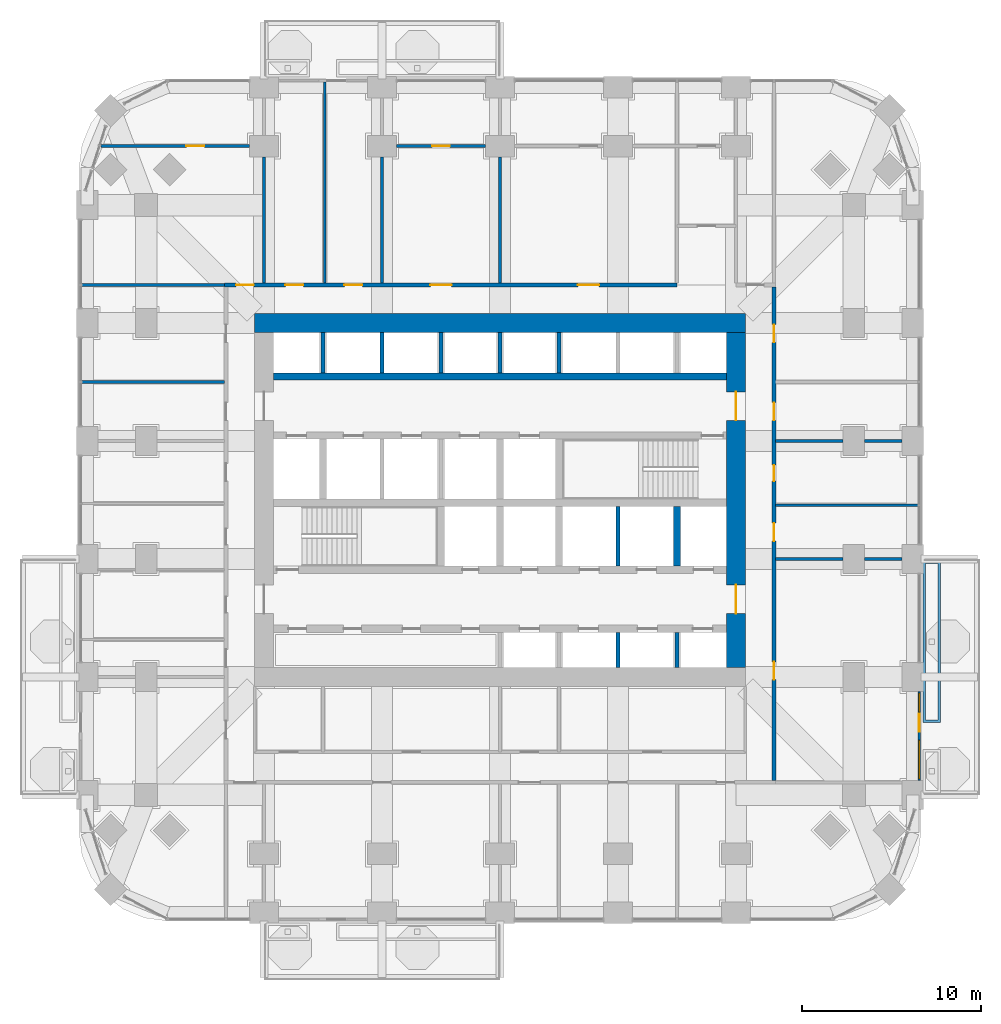
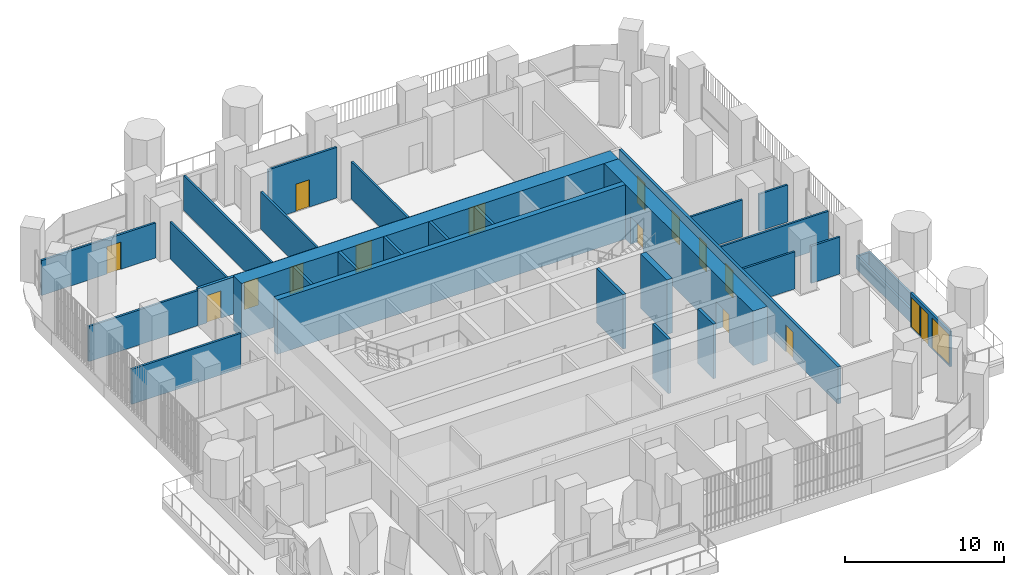
# One storey, part 15 of 21: 29 walls, 15 doors, 2 windows, 17 openings.
"""IFC4 building model written with IfcOpenShell, lengths in metres."""

from ifc_helpers import new_model, si_unit, direction, frame, frame_2d, origin, place, context, subcontext, project, spatial, polyline, rectangle, outline, extrude, material, layer, layer_set, type_object, element, fill, save


model = new_model("IFC4")

# Units and contexts
model_context = context("Model", 3, precision=1e-05, world=origin(), true_north=direction((0.0, 1.0)))
body_context = subcontext(model_context, "Body", "Model", "MODEL_VIEW")
ifc_project = project(units=[si_unit("LENGTHUNIT", "METRE"), si_unit("AREAUNIT", "SQUARE_METRE"), si_unit("VOLUMEUNIT", "CUBIC_METRE"), si_unit("PLANEANGLEUNIT", "RADIAN"), si_unit("MASSUNIT", "GRAM", prefix="KILO")], contexts=[model_context])

# Site, building, storey
site_placement = place(None, origin())
site = spatial("IfcSite", under=ifc_project, at=site_placement, CompositionType="ELEMENT")
building_placement = place(site_placement, origin())
building = spatial("IfcBuilding", under=site, at=building_placement, Name="Cobogo Forest Laboratory Tower", CompositionType="ELEMENT")
storey_placement = place(building_placement, frame((0.0, 0.0, 107.39990234375)))
storey = spatial("IfcBuildingStorey", under=building, at=storey_placement, Name="L24", CompositionType="ELEMENT", Elevation=107.39990234375)

# Walls
ifc_material_1 = material(Name="Concrete HA-50 (C50/60)", Category="concrete")
ifc_layer_1 = layer(ifc_material_1, 0.39990234375)
ifc_layer_set_1 = layer_set([ifc_layer_1], Name="CI400 core inner wall 400")
wall_type_1 = type_object("IfcWallType", Name="CI400 core inner wall 400", PredefinedType="SHEAR", material=ifc_layer_set_1)
wall_1_placement = place(storey_placement, frame((13.72509765625, 30.0, 0.0), z_axis=(0.0, 0.0, 1.0), x_axis=(1.0, 0.0, 0.0)))
element("IfcWall", 1, at=wall_1_placement, inside=storey, type_object=wall_type_1, Name="Core wall CI-30.0 L24", PredefinedType="SHEAR", context=body_context, shape_type="SweptSolid", body=[
    extrude(rectangle(XDim=25.349853515625, YDim=0.39990234375, at=frame_2d((12.6748046875, 0.0))), origin(), (0.0, 0.0, 1.0), 4.2001953125),
])
wall_2_placement = place(storey_placement, frame((36.300048828125, 19.39990234375, 0.0), z_axis=(0.0, 0.0, 1.0), x_axis=(0.0, 1.0, 0.0)))
element("IfcWall", 2, at=wall_2_placement, inside=storey, type_object=wall_type_1, Name="Core wall CX-36.3 L24", PredefinedType="SHEAR", context=body_context, shape_type="SweptSolid", body=[
    extrude(rectangle(XDim=3.35009765625, YDim=0.39990234375, at=frame_2d((1.675048828125, 0.0))), origin(), (0.0, 0.0, 1.0), 4.2001953125),
])

# Wall, openings, doors
ifc_layer_2 = layer(ifc_material_1, 1.050048828125)
ifc_layer_set_2 = layer_set([ifc_layer_2], Name="CW1050 core outer wall 1050")
wall_type_2 = type_object("IfcWallType", Name="CW1050 core outer wall 1050", PredefinedType="SHEAR", material=ifc_layer_set_2)
wall_3_placement = place(storey_placement, frame((39.60009765625, 13.72509765625, 0.0), z_axis=(0.0, 0.0, 1.0), x_axis=(0.0, 1.0, 0.0)))
wall_3 = element("IfcWall", 3, at=wall_3_placement, inside=storey, type_object=wall_type_2, Name="Core wall CO-E L24", PredefinedType="SHEAR", context=body_context, shape_type="SweptSolid", body=[
    extrude(rectangle(XDim=18.75, YDim=1.050048828125, at=frame_2d((9.375, 0.0))), origin(), (0.0, 0.0, 1.0), 4.2001953125),
])
opening_1_placement = place(wall_3_placement, frame((3.02490234375, 0.0, 0.0)))
opening_1 = element("IfcOpeningElement", 4, at=opening_1_placement, cuts=wall_3, Name="Opening L24-D22", PredefinedType="OPENING", context=body_context, shape_type="SweptSolid", body=[
    extrude(rectangle(XDim=1.60009765625, YDim=2.10009765625, at=frame_2d((0.800048828125, 1.050048828125))), frame((0.0, 0.534912109375, 0.0), z_axis=(0.0, -1.0, 0.0), x_axis=(1.0, 0.0, 0.0)), (0.0, 0.0, 1.0), 1.070068359375),
])
opening_2_placement = place(wall_3_placement, frame((13.824951171875, 0.0, 0.0)))
opening_2 = element("IfcOpeningElement", 5, at=opening_2_placement, cuts=wall_3, Name="Opening L24-D34", PredefinedType="OPENING", context=body_context, shape_type="SweptSolid", body=[
    extrude(rectangle(XDim=1.60009765625, YDim=2.10009765625, at=frame_2d((0.800048828125, 1.050048828125))), frame((0.0, 0.534912109375, 0.0), z_axis=(0.0, -1.0, 0.0), x_axis=(1.0, 0.0, 0.0)), (0.0, 0.0, 1.0), 1.070068359375),
])
ifc_material_2 = material(Name="Steel fire door", Category="steel")
door_type_1 = type_object("IfcDoorType", Name="DS2 protected lobby door pair 1600 EI2 60", OperationType="DOUBLE_DOOR_DOUBLE_SWING", PredefinedType="DOOR", material=ifc_material_2)
door_1_placement = place(opening_1_placement, origin())
door_1 = element("IfcDoor", 6, at=door_1_placement, inside=storey, type_object=door_type_1, Name="Door L24-CO-E-S", OperationType="DOUBLE_DOOR_DOUBLE_SWING", OverallHeight=2.10009765625, OverallWidth=1.60009765625, PredefinedType="DOOR", context=body_context, shape_type="SweptSolid", body=[
    extrude(rectangle(XDim=1.60009765625, YDim=2.10009765625, at=frame_2d((0.800048828125, 1.050048828125))), frame((0.0, 0.02490234375, 0.0), z_axis=(0.0, -1.0, 0.0), x_axis=(1.0, 0.0, 0.0)), (0.0, 0.0, 1.0), 0.050048828125),
])
fill(opening_1, door_1)
door_2_placement = place(opening_2_placement, origin())
door_2 = element("IfcDoor", 7, at=door_2_placement, inside=storey, type_object=door_type_1, Name="Door L24-CO-E-N", OperationType="DOUBLE_DOOR_DOUBLE_SWING", OverallHeight=2.10009765625, OverallWidth=1.60009765625, PredefinedType="DOOR", context=body_context, shape_type="SweptSolid", body=[
    extrude(rectangle(XDim=1.60009765625, YDim=2.10009765625, at=frame_2d((0.800048828125, 1.050048828125))), frame((0.0, 0.02490234375, 0.0), z_axis=(0.0, -1.0, 0.0), x_axis=(1.0, 0.0, 0.0)), (0.0, 0.0, 1.0), 0.050048828125),
])
fill(opening_2, door_2)

# Wall
wall_4_placement = place(storey_placement, frame((40.125, 33.0, 0.0), z_axis=(0.0, 0.0, 1.0), x_axis=(-1.0, 0.0, 0.0)))
element("IfcWall", 8, at=wall_4_placement, inside=storey, type_object=wall_type_2, Name="Core wall CO-N L24", PredefinedType="SHEAR", context=body_context, shape_type="SweptSolid", body=[
    extrude(rectangle(XDim=27.449951171875, YDim=1.050048828125, at=frame_2d((13.72509765625, 0.0))), origin(), (0.0, 0.0, 1.0), 4.2001953125),
])

# Wall, openings, door, windows
ifc_material_3 = material(Name="Aluminium framed glazed screen", Category="aluminium")
ifc_layer_3 = layer(ifc_material_3, 0.14990234375)
ifc_layer_set_3 = layer_set([ifc_layer_3], Name="GS1 glazed door screen 150")
wall_type_3 = type_object("IfcWallType", Name="GS1 glazed door screen 150", PredefinedType="SOLIDWALL", material=ifc_layer_set_3)
wall_5_placement = place(storey_placement, frame((49.85009765625, 7.39990234375, 0.0), z_axis=(0.0, 0.0, 1.0), x_axis=(0.0, 1.0, 0.0)))
wall_5 = element("IfcWall", 9, at=wall_5_placement, inside=storey, type_object=wall_type_3, Name="Door screen BAL-E1 L24", PredefinedType="SOLIDWALL", context=body_context, shape_type="SweptSolid", body=[
    extrude(rectangle(XDim=5.0, YDim=0.14990234375, at=frame_2d((2.5, 0.0))), origin(), (0.0, 0.0, 1.0), 2.7001953125),
])
opening_3_placement = place(wall_5_placement, frame((2.75, 0.0, 0.0)))
opening_3 = element("IfcOpeningElement", 10, at=opening_3_placement, cuts=wall_5, Name="Opening L24-D13", PredefinedType="OPENING", context=body_context, shape_type="SweptSolid", body=[
    extrude(rectangle(XDim=1.0, YDim=2.39990234375, at=frame_2d((0.5, 1.199951171875))), frame((0.0, 0.0849609375, 0.0), z_axis=(0.0, -1.0, 0.0), x_axis=(1.0, 0.0, 0.0)), (0.0, 0.0, 1.0), 0.169921875),
])
opening_4_placement = place(wall_5_placement, frame((0.10009765625, 0.0, 0.10009765625)))
opening_4 = element("IfcOpeningElement", 11, at=opening_4_placement, cuts=wall_5, Name="Opening L24-W04", PredefinedType="OPENING", context=body_context, shape_type="SweptSolid", body=[
    extrude(rectangle(XDim=2.14990234375, YDim=2.300048828125, at=frame_2d((1.074951171875, 1.14990234375))), frame((0.0, 0.0849609375, 0.0), z_axis=(0.0, -1.0, 0.0), x_axis=(1.0, 0.0, 0.0)), (0.0, 0.0, 1.0), 0.169921875),
])
opening_5_placement = place(wall_5_placement, frame((3.85009765625, 0.0, 0.10009765625)))
opening_5 = element("IfcOpeningElement", 12, at=opening_5_placement, cuts=wall_5, Name="Opening L24-W06", PredefinedType="OPENING", context=body_context, shape_type="SweptSolid", body=[
    extrude(rectangle(XDim=1.050048828125, YDim=2.300048828125, at=frame_2d((0.52490234375, 1.14990234375))), frame((0.0, 0.0849609375, 0.0), z_axis=(0.0, -1.0, 0.0), x_axis=(1.0, 0.0, 0.0)), (0.0, 0.0, 1.0), 0.169921875),
])
ifc_material_4 = material(Name="Aluminium glazed door", Category="aluminium")
door_type_2 = type_object("IfcDoorType", Name="DB1 balcony door 1000 glazed", OperationType="SINGLE_SWING_LEFT", PredefinedType="DOOR", material=ifc_material_4)
door_3_placement = place(opening_3_placement, origin())
door_3 = element("IfcDoor", 13, at=door_3_placement, inside=storey, type_object=door_type_2, Name="Door L24-BAL-E1", OperationType="SINGLE_SWING_RIGHT", OverallHeight=2.39990234375, OverallWidth=1.0, PredefinedType="DOOR", context=body_context, shape_type="SweptSolid", body=[
    extrude(rectangle(XDim=1.0, YDim=2.39990234375, at=frame_2d((0.5, 1.199951171875))), frame((0.0, 0.02490234375, 0.0), z_axis=(0.0, -1.0, 0.0), x_axis=(1.0, 0.0, 0.0)), (0.0, 0.0, 1.0), 0.050048828125),
])
fill(opening_3, door_3)
ifc_material_5 = material(Name="Aluminium framed glazing", Category="aluminium")
window_type_1 = type_object("IfcWindowType", Name="WG13 fixed glazed light 2150x2300", PartitioningType="SINGLE_PANEL", PredefinedType="WINDOW", material=ifc_material_5)
window_1_placement = place(opening_4_placement, origin())
window_1 = element("IfcWindow", 14, at=window_1_placement, inside=storey, type_object=window_type_1, Name="Window L24-BAL-E1-1", OverallHeight=2.300048828125, OverallWidth=2.14990234375, PartitioningType="SINGLE_PANEL", PredefinedType="WINDOW", context=body_context, shape_type="SweptSolid", body=[
    extrude(rectangle(XDim=2.14990234375, YDim=2.300048828125, at=frame_2d((1.074951171875, 1.14990234375))), frame((0.0, 0.030029296875, 0.0), z_axis=(0.0, -1.0, 0.0), x_axis=(1.0, 0.0, 0.0)), (0.0, 0.0, 1.0), 0.06005859375),
])
fill(opening_4, window_1)
window_type_2 = type_object("IfcWindowType", Name="WG14 fixed glazed light 1050x2300", PartitioningType="SINGLE_PANEL", PredefinedType="WINDOW", material=ifc_material_5)
window_2_placement = place(opening_5_placement, origin())
window_2 = element("IfcWindow", 15, at=window_2_placement, inside=storey, type_object=window_type_2, Name="Window L24-BAL-E1-2", OverallHeight=2.300048828125, OverallWidth=1.050048828125, PartitioningType="SINGLE_PANEL", PredefinedType="WINDOW", context=body_context, shape_type="SweptSolid", body=[
    extrude(rectangle(XDim=1.050048828125, YDim=2.300048828125, at=frame_2d((0.52490234375, 1.14990234375))), frame((0.0, 0.030029296875, 0.0), z_axis=(0.0, -1.0, 0.0), x_axis=(1.0, 0.0, 0.0)), (0.0, 0.0, 1.0), 0.06005859375),
])
fill(opening_5, window_2)

# Walls
ifc_material_6 = material(Name="Gypsum board on steel studs", Category="steel")
ifc_layer_4 = layer(ifc_material_6, 0.14990234375)
ifc_layer_set_4 = layer_set([ifc_layer_4], Name="PT1 laboratory partition 150")
wall_type_4 = type_object("IfcWallType", Name="PT1 laboratory partition 150", PredefinedType="PARTITIONING", material=ifc_layer_set_4)
for number, where, z_axis, x_axis, name in (
    (16, (3.030029296875, 35.125, 0.0), (0.0, 0.0, 1.0), (1.0, 0.0, 0.0), "Partition PW-NW L24"),
    (17, (49.77001953125, 22.800048828125, 0.0), (0.0, 0.0, 1.0), (-1.0, 0.0, 0.0), "Partition SVC-E1-1 L24"),
):
    element("IfcWall", number, at=place(storey_placement, frame(where, z_axis=z_axis, x_axis=x_axis)), inside=storey, type_object=wall_type_4, Name=name, PredefinedType="PARTITIONING", context=body_context, shape_type="SweptSolid", body=[
        extrude(rectangle(XDim=7.945068359375, YDim=0.14990234375, at=frame_2d((3.97265625, 0.0))), origin(), (0.0, 0.0, 1.0), 2.7001953125),
    ])
wall_6_placement = place(storey_placement, frame((48.89990234375, 26.39990234375, 0.0), z_axis=(0.0, 0.0, 1.0), x_axis=(-1.0, 0.0, 0.0)))
element("IfcWall", 18, at=wall_6_placement, inside=storey, type_object=wall_type_4, Name="Partition SVC-E2-1 L24", PredefinedType="PARTITIONING", context=body_context, shape_type="SweptSolid", body=[
    extrude(rectangle(XDim=2.099853515625, YDim=0.14990234375, at=frame_2d((1.0498046875, 0.0))), origin(), (0.0, 0.0, 1.0), 2.85009765625),
])
wall_7_placement = place(storey_placement, frame((45.60009765625, 26.39990234375, 0.0), z_axis=(0.0, 0.0, 1.0), x_axis=(-1.0, 0.0, 0.0)))
element("IfcWall", 19, at=wall_7_placement, inside=storey, type_object=wall_type_4, Name="Partition SVC-E2-2 L24", PredefinedType="PARTITIONING", context=body_context, shape_type="SweptSolid", body=[
    extrude(rectangle(XDim=3.775146484375, YDim=0.14990234375, at=frame_2d((1.8876953125, 0.0))), origin(), (0.0, 0.0, 1.0), 2.85009765625),
])
wall_8_placement = place(storey_placement, frame((48.89990234375, 19.800048828125, 0.0), z_axis=(0.0, 0.0, 1.0), x_axis=(-1.0, 0.0, 0.0)))
element("IfcWall", 20, at=wall_8_placement, inside=storey, type_object=wall_type_4, Name="Partition CUT-E19.8-1 L24", PredefinedType="PARTITIONING", context=body_context, shape_type="SweptSolid", body=[
    extrude(rectangle(XDim=2.099853515625, YDim=0.14990234375, at=frame_2d((1.0498046875, 0.0))), origin(), (0.0, 0.0, 1.0), 2.85009765625),
])
wall_9_placement = place(storey_placement, frame((45.60009765625, 19.800048828125, 0.0), z_axis=(0.0, 0.0, 1.0), x_axis=(-1.0, 0.0, 0.0)))
element("IfcWall", 21, at=wall_9_placement, inside=storey, type_object=wall_type_4, Name="Partition CUT-E19.8-2 L24", PredefinedType="PARTITIONING", context=body_context, shape_type="SweptSolid", body=[
    extrude(rectangle(XDim=3.775146484375, YDim=0.14990234375, at=frame_2d((1.8876953125, 0.0))), origin(), (0.0, 0.0, 1.0), 2.85009765625),
])

# Wall, opening, door
wall_10_placement = place(storey_placement, frame((25.60009765625, 42.89990234375, 0.0), z_axis=(0.0, 0.0, 1.0), x_axis=(-1.0, 0.0, 0.0)))
wall_10 = element("IfcWall", 22, at=wall_10_placement, inside=storey, type_object=wall_type_4, Name="Partition STRIP-N-3 L24", PredefinedType="PARTITIONING", context=body_context, shape_type="SweptSolid", body=[
    extrude(rectangle(XDim=5.0, YDim=0.14990234375, at=frame_2d((2.5, 0.0))), origin(), (0.0, 0.0, 1.0), 3.900146484375),
])
opening_6_placement = place(wall_10_placement, frame((2.0, 0.0, 0.0)))
opening_6 = element("IfcOpeningElement", 23, at=opening_6_placement, cuts=wall_10, Name="Opening L24-D45", PredefinedType="OPENING", context=body_context, shape_type="SweptSolid", body=[
    extrude(rectangle(XDim=1.0, YDim=2.10009765625, at=frame_2d((0.5, 1.050048828125))), frame((0.0, 0.0849609375, 0.0), z_axis=(0.0, -1.0, 0.0), x_axis=(1.0, 0.0, 0.0)), (0.0, 0.0, 1.0), 0.169921875),
])
ifc_material_7 = material(Name="Timber fire door", Category="wood")
door_type_3 = type_object("IfcDoorType", Name="FD2 fire door 1000 EI2 30", OperationType="SINGLE_SWING_LEFT", PredefinedType="DOOR", material=ifc_material_7)
door_4_placement = place(opening_6_placement, origin())
door_4 = element("IfcDoor", 24, at=door_4_placement, inside=storey, type_object=door_type_3, Name="Door L24-N2W", OperationType="SINGLE_SWING_RIGHT", OverallHeight=2.10009765625, OverallWidth=1.0, PredefinedType="DOOR", context=body_context, shape_type="SweptSolid", body=[
    extrude(rectangle(XDim=1.0, YDim=2.10009765625, at=frame_2d((0.5, 1.050048828125))), frame((0.0, 0.02490234375, 0.0), z_axis=(0.0, -1.0, 0.0), x_axis=(1.0, 0.0, 0.0)), (0.0, 0.0, 1.0), 0.050048828125),
])
fill(opening_6, door_4)

wall_11_placement = place(storey_placement, frame((12.39990234375, 42.89990234375, 0.0), z_axis=(0.0, 0.0, 1.0), x_axis=(-1.0, 0.0, 0.0)))
wall_11 = element("IfcWall", 25, at=wall_11_placement, inside=storey, type_object=wall_type_4, Name="Partition STRIP-N-4 L24", PredefinedType="PARTITIONING", context=body_context, shape_type="SweptSolid", body=[
    extrude(rectangle(XDim=8.323974609375, YDim=0.14990234375, at=frame_2d((4.162109375, 0.0))), origin(), (0.0, 0.0, 1.0), 2.7001953125),
])
opening_7_placement = place(wall_11_placement, frame((2.5419921875, 0.0, 0.0)))
opening_7 = element("IfcOpeningElement", 26, at=opening_7_placement, cuts=wall_11, Name="Opening L24-D44", PredefinedType="OPENING", context=body_context, shape_type="SweptSolid", body=[
    extrude(rectangle(XDim=1.0, YDim=2.10009765625, at=frame_2d((0.5, 1.050048828125))), frame((0.0, 0.0849609375, 0.0), z_axis=(0.0, -1.0, 0.0), x_axis=(1.0, 0.0, 0.0)), (0.0, 0.0, 1.0), 0.169921875),
])
door_5_placement = place(opening_7_placement, origin())
door_5 = element("IfcDoor", 27, at=door_5_placement, inside=storey, type_object=door_type_3, Name="Door L24-N1W", OperationType="SINGLE_SWING_LEFT", OverallHeight=2.10009765625, OverallWidth=1.0, PredefinedType="DOOR", context=body_context, shape_type="SweptSolid", body=[
    extrude(rectangle(XDim=1.0, YDim=2.10009765625, at=frame_2d((0.5, 1.050048828125))), frame((0.0, 0.02490234375, 0.0), z_axis=(0.0, -1.0, 0.0), x_axis=(1.0, 0.0, 0.0)), (0.0, 0.0, 1.0), 0.050048828125),
])
fill(opening_7, door_5)

# Walls
wall_12_placement = place(storey_placement, frame((16.60009765625, 46.469970703125, 0.0), z_axis=(0.0, 0.0, 1.0), x_axis=(0.0, -1.0, 0.0)))
element("IfcWall", 28, at=wall_12_placement, inside=storey, type_object=wall_type_4, Name="Partition SVC-N1-1 L24", PredefinedType="PARTITIONING", context=body_context, shape_type="SweptSolid", body=[
    extrude(rectangle(XDim=11.244873046875, YDim=0.14990234375, at=frame_2d((5.62255859375, 0.0))), origin(), (0.0, 0.0, 1.0), 2.7001953125),
])
for number, where, z_axis, x_axis, name in (
    (29, (19.800048828125, 42.300048828125, 0.0), (0.0, 0.0, 1.0), (0.0, -1.0, 0.0), "Partition SVC-N2-2 L24"),
    (30, (13.199951171875, 42.300048828125, 0.0), (0.0, 0.0, 1.0), (0.0, -1.0, 0.0), "Partition CUT-N13.2-2 L24"),
    (31, (26.39990234375, 42.300048828125, 0.0), (0.0, 0.0, 1.0), (0.0, -1.0, 0.0), "Partition CUT-N26.4-2 L24"),
):
    element("IfcWall", number, at=place(storey_placement, frame(where, z_axis=z_axis, x_axis=x_axis)), inside=storey, type_object=wall_type_4, Name=name, PredefinedType="PARTITIONING", context=body_context, shape_type="SweptSolid", body=[
        extrude(rectangle(XDim=7.074951171875, YDim=0.14990234375, at=frame_2d((3.53759765625, 0.0))), origin(), (0.0, 0.0, 1.0), 2.85009765625),
    ])
wall_13_placement = place(storey_placement, frame((3.030029296875, 29.699951171875, 0.0), z_axis=(0.0, 0.0, 1.0), x_axis=(1.0, 0.0, 0.0)))
element("IfcWall", 32, at=wall_13_placement, inside=storey, type_object=wall_type_4, Name="Partition CUT-W29.7-1 L24", PredefinedType="PARTITIONING", context=body_context, shape_type="SweptSolid", body=[
    extrude(rectangle(XDim=7.945068359375, YDim=0.14990234375, at=frame_2d((3.97265625, 0.0))), origin(), (0.0, 0.0, 1.0), 2.7001953125),
])

# Wall, openings, doors
ifc_layer_5 = layer(ifc_material_6, 0.199951171875)
ifc_layer_set_5 = layer_set([ifc_layer_5], Name="PT2 fire-rated corridor partition 200")
wall_type_5 = type_object("IfcWallType", Name="PT2 fire-rated corridor partition 200", PredefinedType="PARTITIONING", material=ifc_layer_set_5)
wall_14_placement = place(storey_placement, frame((10.97509765625, 35.125, 0.0), z_axis=(0.0, 0.0, 1.0), x_axis=(1.0, 0.0, 0.0)))
wall_14 = element("IfcWall", 33, at=wall_14_placement, inside=storey, type_object=wall_type_5, Name="Partition CORR-N-1 L24", PredefinedType="PARTITIONING", context=body_context, shape_type="SweptSolid", body=[
    extrude(rectangle(XDim=25.324951171875, YDim=0.199951171875, at=frame_2d((12.66259765625, 0.0))), origin(), (0.0, 0.0, 1.0), 2.85009765625),
])
opening_8_placement = place(wall_14_placement, frame((0.66259765625, 0.0, 0.0)))
opening_8 = element("IfcOpeningElement", 34, at=opening_8_placement, cuts=wall_14, Name="Opening L24-D37", PredefinedType="OPENING", context=body_context, shape_type="SweptSolid", body=[
    extrude(rectangle(XDim=1.0, YDim=2.10009765625, at=frame_2d((0.5, 1.050048828125))), frame((0.0, 0.10986328125, 0.0), z_axis=(0.0, -1.0, 0.0), x_axis=(1.0, 0.0, 0.0)), (0.0, 0.0, 1.0), 0.219970703125),
])
opening_9_placement = place(wall_14_placement, frame((3.425048828125, 0.0, 0.0)))
opening_9 = element("IfcOpeningElement", 35, at=opening_9_placement, cuts=wall_14, Name="Opening L24-D38", PredefinedType="OPENING", context=body_context, shape_type="SweptSolid", body=[
    extrude(rectangle(XDim=1.0, YDim=2.10009765625, at=frame_2d((0.5, 1.050048828125))), frame((0.0, 0.10986328125, 0.0), z_axis=(0.0, -1.0, 0.0), x_axis=(1.0, 0.0, 0.0)), (0.0, 0.0, 1.0), 0.219970703125),
])
opening_10_placement = place(wall_14_placement, frame((6.72509765625, 0.0, 0.0)))
opening_10 = element("IfcOpeningElement", 36, at=opening_10_placement, cuts=wall_14, Name="Opening L24-D39", PredefinedType="OPENING", context=body_context, shape_type="SweptSolid", body=[
    extrude(rectangle(XDim=1.0, YDim=2.10009765625, at=frame_2d((0.5, 1.050048828125))), frame((0.0, 0.10986328125, 0.0), z_axis=(0.0, -1.0, 0.0), x_axis=(1.0, 0.0, 0.0)), (0.0, 0.0, 1.0), 0.219970703125),
])
opening_11_placement = place(wall_14_placement, frame((11.52490234375, 0.0, 0.0)))
opening_11 = element("IfcOpeningElement", 37, at=opening_11_placement, cuts=wall_14, Name="Opening L24-D40", PredefinedType="OPENING", context=body_context, shape_type="SweptSolid", body=[
    extrude(rectangle(XDim=1.199951171875, YDim=2.10009765625, at=frame_2d((0.60009765625, 1.050048828125))), frame((0.0, 0.10986328125, 0.0), z_axis=(0.0, -1.0, 0.0), x_axis=(1.0, 0.0, 0.0)), (0.0, 0.0, 1.0), 0.219970703125),
])
opening_12_placement = place(wall_14_placement, frame((19.77490234375, 0.0, 0.0)))
opening_12 = element("IfcOpeningElement", 38, at=opening_12_placement, cuts=wall_14, Name="Opening L24-D41", PredefinedType="OPENING", context=body_context, shape_type="SweptSolid", body=[
    extrude(rectangle(XDim=1.199951171875, YDim=2.10009765625, at=frame_2d((0.60009765625, 1.050048828125))), frame((0.0, 0.10986328125, 0.0), z_axis=(0.0, -1.0, 0.0), x_axis=(1.0, 0.0, 0.0)), (0.0, 0.0, 1.0), 0.219970703125),
])
ifc_material_8 = material(Name="Timber door", Category="wood")
door_type_4 = type_object("IfcDoorType", Name="D2 laboratory door 1200 unequal pair", OperationType="DOUBLE_DOOR_SINGLE_SWING", PredefinedType="DOOR", material=ifc_material_8)
door_6_placement = place(opening_11_placement, origin())
door_6 = element("IfcDoor", 39, at=door_6_placement, inside=storey, type_object=door_type_4, Name="Door L24-N2", OperationType="DOUBLE_DOOR_SINGLE_SWING", OverallHeight=2.10009765625, OverallWidth=1.199951171875, PredefinedType="DOOR", context=body_context, shape_type="SweptSolid", body=[
    extrude(rectangle(XDim=1.199951171875, YDim=2.10009765625, at=frame_2d((0.60009765625, 1.050048828125))), frame((0.0, 0.02490234375, 0.0), z_axis=(0.0, -1.0, 0.0), x_axis=(1.0, 0.0, 0.0)), (0.0, 0.0, 1.0), 0.050048828125),
])
fill(opening_11, door_6)
door_7_placement = place(opening_12_placement, origin())
door_7 = element("IfcDoor", 40, at=door_7_placement, inside=storey, type_object=door_type_4, Name="Door L24-N3", OperationType="DOUBLE_DOOR_SINGLE_SWING", OverallHeight=2.10009765625, OverallWidth=1.199951171875, PredefinedType="DOOR", context=body_context, shape_type="SweptSolid", body=[
    extrude(rectangle(XDim=1.199951171875, YDim=2.10009765625, at=frame_2d((0.60009765625, 1.050048828125))), frame((0.0, 0.02490234375, 0.0), z_axis=(0.0, -1.0, 0.0), x_axis=(1.0, 0.0, 0.0)), (0.0, 0.0, 1.0), 0.050048828125),
])
fill(opening_12, door_7)
door_8_placement = place(opening_8_placement, origin())
door_8 = element("IfcDoor", 41, at=door_8_placement, inside=storey, type_object=door_type_3, Name="Door L24-N1", OperationType="SINGLE_SWING_LEFT", OverallHeight=2.10009765625, OverallWidth=1.0, PredefinedType="DOOR", context=body_context, shape_type="SweptSolid", body=[
    extrude(rectangle(XDim=1.0, YDim=2.10009765625, at=frame_2d((0.5, 1.050048828125))), frame((0.0, 0.02490234375, 0.0), z_axis=(0.0, -1.0, 0.0), x_axis=(1.0, 0.0, 0.0)), (0.0, 0.0, 1.0), 0.050048828125),
])
fill(opening_8, door_8)
door_9_placement = place(opening_9_placement, origin())
door_9 = element("IfcDoor", 42, at=door_9_placement, inside=storey, type_object=door_type_3, Name="Door L24-MTG", OperationType="SINGLE_SWING_LEFT", OverallHeight=2.10009765625, OverallWidth=1.0, PredefinedType="DOOR", context=body_context, shape_type="SweptSolid", body=[
    extrude(rectangle(XDim=1.0, YDim=2.10009765625, at=frame_2d((0.5, 1.050048828125))), frame((0.0, 0.02490234375, 0.0), z_axis=(0.0, -1.0, 0.0), x_axis=(1.0, 0.0, 0.0)), (0.0, 0.0, 1.0), 0.050048828125),
])
fill(opening_9, door_9)
door_10_placement = place(opening_10_placement, origin())
door_10 = element("IfcDoor", 43, at=door_10_placement, inside=storey, type_object=door_type_3, Name="Door L24-PAN", OperationType="SINGLE_SWING_LEFT", OverallHeight=2.10009765625, OverallWidth=1.0, PredefinedType="DOOR", context=body_context, shape_type="SweptSolid", body=[
    extrude(rectangle(XDim=1.0, YDim=2.10009765625, at=frame_2d((0.5, 1.050048828125))), frame((0.0, 0.02490234375, 0.0), z_axis=(0.0, -1.0, 0.0), x_axis=(1.0, 0.0, 0.0)), (0.0, 0.0, 1.0), 0.050048828125),
])
fill(opening_10, door_10)

wall_15_placement = place(storey_placement, frame((41.72509765625, 7.39990234375, 0.0), z_axis=(0.0, 0.0, 1.0), x_axis=(0.0, 1.0, 0.0)))
wall_15 = element("IfcWall", 44, at=wall_15_placement, inside=storey, type_object=wall_type_5, Name="Partition CORR-E L24", PredefinedType="PARTITIONING", context=body_context, shape_type="SweptSolid", body=[
    extrude(rectangle(XDim=27.625, YDim=0.199951171875, at=frame_2d((13.8125, 0.0))), origin(), (0.0, 0.0, 1.0), 2.85009765625),
])
opening_13_placement = place(wall_15_placement, frame((5.64990234375, 0.0, 0.0)))
opening_13 = element("IfcOpeningElement", 45, at=opening_13_placement, cuts=wall_15, Name="Opening L24-D14", PredefinedType="OPENING", context=body_context, shape_type="SweptSolid", body=[
    extrude(rectangle(XDim=1.0, YDim=2.10009765625, at=frame_2d((0.5, 1.050048828125))), frame((0.0, 0.10986328125, 0.0), z_axis=(0.0, -1.0, 0.0), x_axis=(1.0, 0.0, 0.0)), (0.0, 0.0, 1.0), 0.219970703125),
])
opening_14_placement = place(wall_15_placement, frame((13.39990234375, 0.0, 0.0)))
opening_14 = element("IfcOpeningElement", 46, at=opening_14_placement, cuts=wall_15, Name="Opening L24-D27", PredefinedType="OPENING", context=body_context, shape_type="SweptSolid", body=[
    extrude(rectangle(XDim=1.0, YDim=2.10009765625, at=frame_2d((0.5, 1.050048828125))), frame((0.0, 0.10986328125, 0.0), z_axis=(0.0, -1.0, 0.0), x_axis=(1.0, 0.0, 0.0)), (0.0, 0.0, 1.0), 0.219970703125),
])
opening_15_placement = place(wall_15_placement, frame((16.75, 0.0, 0.0)))
opening_15 = element("IfcOpeningElement", 47, at=opening_15_placement, cuts=wall_15, Name="Opening L24-D28", PredefinedType="OPENING", context=body_context, shape_type="SweptSolid", body=[
    extrude(rectangle(XDim=0.89990234375, YDim=2.10009765625, at=frame_2d((0.449951171875, 1.050048828125))), frame((0.0, 0.10986328125, 0.0), z_axis=(0.0, -1.0, 0.0), x_axis=(1.0, 0.0, 0.0)), (0.0, 0.0, 1.0), 0.219970703125),
])
opening_16_placement = place(wall_15_placement, frame((20.14990234375, 0.0, 0.0)))
opening_16 = element("IfcOpeningElement", 48, at=opening_16_placement, cuts=wall_15, Name="Opening L24-D32", PredefinedType="OPENING", context=body_context, shape_type="SweptSolid", body=[
    extrude(rectangle(XDim=1.0, YDim=2.10009765625, at=frame_2d((0.5, 1.050048828125))), frame((0.0, 0.10986328125, 0.0), z_axis=(0.0, -1.0, 0.0), x_axis=(1.0, 0.0, 0.0)), (0.0, 0.0, 1.0), 0.219970703125),
])
opening_17_placement = place(wall_15_placement, frame((24.512451171875, 0.0, 0.0)))
opening_17 = element("IfcOpeningElement", 49, at=opening_17_placement, cuts=wall_15, Name="Opening L24-D36", PredefinedType="OPENING", context=body_context, shape_type="SweptSolid", body=[
    extrude(rectangle(XDim=1.0, YDim=2.10009765625, at=frame_2d((0.5, 1.050048828125))), frame((0.0, 0.10986328125, 0.0), z_axis=(0.0, -1.0, 0.0), x_axis=(1.0, 0.0, 0.0)), (0.0, 0.0, 1.0), 0.219970703125),
])
door_type_5 = type_object("IfcDoorType", Name="FD1 fire door 1000 EI2 60", OperationType="SINGLE_SWING_LEFT", PredefinedType="DOOR", material=ifc_material_2)
door_11_placement = place(opening_14_placement, origin())
door_11 = element("IfcDoor", 50, at=door_11_placement, inside=storey, type_object=door_type_5, Name="Door L24-ELEC", OperationType="SINGLE_SWING_RIGHT", OverallHeight=2.10009765625, OverallWidth=1.0, PredefinedType="DOOR", context=body_context, shape_type="SweptSolid", body=[
    extrude(rectangle(XDim=1.0, YDim=2.10009765625, at=frame_2d((0.5, 1.050048828125))), frame((0.0, 0.02490234375, 0.0), z_axis=(0.0, -1.0, 0.0), x_axis=(1.0, 0.0, 0.0)), (0.0, 0.0, 1.0), 0.050048828125),
])
fill(opening_14, door_11)
door_12_placement = place(opening_13_placement, origin())
door_12 = element("IfcDoor", 51, at=door_12_placement, inside=storey, type_object=door_type_3, Name="Door L24-E1", OperationType="SINGLE_SWING_LEFT", OverallHeight=2.10009765625, OverallWidth=1.0, PredefinedType="DOOR", context=body_context, shape_type="SweptSolid", body=[
    extrude(rectangle(XDim=1.0, YDim=2.10009765625, at=frame_2d((0.5, 1.050048828125))), frame((0.0, 0.02490234375, 0.0), z_axis=(0.0, -1.0, 0.0), x_axis=(1.0, 0.0, 0.0)), (0.0, 0.0, 1.0), 0.050048828125),
])
fill(opening_13, door_12)
door_13_placement = place(opening_16_placement, origin())
door_13 = element("IfcDoor", 52, at=door_13_placement, inside=storey, type_object=door_type_3, Name="Door L24-E2", OperationType="SINGLE_SWING_RIGHT", OverallHeight=2.10009765625, OverallWidth=1.0, PredefinedType="DOOR", context=body_context, shape_type="SweptSolid", body=[
    extrude(rectangle(XDim=1.0, YDim=2.10009765625, at=frame_2d((0.5, 1.050048828125))), frame((0.0, 0.02490234375, 0.0), z_axis=(0.0, -1.0, 0.0), x_axis=(1.0, 0.0, 0.0)), (0.0, 0.0, 1.0), 0.050048828125),
])
fill(opening_16, door_13)
door_14_placement = place(opening_17_placement, origin())
door_14 = element("IfcDoor", 53, at=door_14_placement, inside=storey, type_object=door_type_3, Name="Door L24-E3", OperationType="SINGLE_SWING_RIGHT", OverallHeight=2.10009765625, OverallWidth=1.0, PredefinedType="DOOR", context=body_context, shape_type="SweptSolid", body=[
    extrude(rectangle(XDim=1.0, YDim=2.10009765625, at=frame_2d((0.5, 1.050048828125))), frame((0.0, 0.02490234375, 0.0), z_axis=(0.0, -1.0, 0.0), x_axis=(1.0, 0.0, 0.0)), (0.0, 0.0, 1.0), 0.050048828125),
])
fill(opening_17, door_14)
door_type_6 = type_object("IfcDoorType", Name="FD4 riser access door 900 EI2 60", OperationType="SINGLE_SWING_LEFT", PredefinedType="DOOR", material=ifc_material_2)
door_15_placement = place(opening_15_placement, origin())
door_15 = element("IfcDoor", 54, at=door_15_placement, inside=storey, type_object=door_type_6, Name="Door L24-COMMS", OperationType="SINGLE_SWING_RIGHT", OverallHeight=2.10009765625, OverallWidth=0.89990234375, PredefinedType="DOOR", context=body_context, shape_type="SweptSolid", body=[
    extrude(rectangle(XDim=0.89990234375, YDim=2.10009765625, at=frame_2d((0.449951171875, 1.050048828125))), frame((0.0, 0.02490234375, 0.0), z_axis=(0.0, -1.0, 0.0), x_axis=(1.0, 0.0, 0.0)), (0.0, 0.0, 1.0), 0.050048828125),
])
fill(opening_15, door_15)

# Walls
ifc_material_9 = material(Name="Concrete HA-40 (C40/50)", Category="concrete")
ifc_layer_6 = layer(ifc_material_9, 0.14990234375)
ifc_layer_set_6 = layer_set([ifc_layer_6], Name="Planter box 1000x1050")
wall_type_6 = type_object("IfcWallType", Name="Planter box 1000x1050", PredefinedType="USERDEFINED", material=ifc_layer_set_6)
wall_16_placement = place(storey_placement, origin())
element("IfcWall", 55, at=wall_16_placement, inside=storey, type_object=wall_type_6, Name="Planter BAL-E1-2 L24", ObjectType="PLANTER", PredefinedType="USERDEFINED", context=body_context, shape_type="SweptSolid", body=[
    extrude(outline(polyline([(50.050048828125, 10.64990234375), (51.050048828125, 10.64990234375), (51.050048828125, 19.699951171875), (50.050048828125, 19.699951171875), (50.050048828125, 10.64990234375)]), holes=[polyline([(50.199951171875, 10.800048828125), (50.89990234375, 10.800048828125), (50.89990234375, 19.550048828125), (50.199951171875, 19.550048828125), (50.199951171875, 10.800048828125)])]), origin(), (0.0, 0.0, 1.0), 1.050048828125),
])
ifc_material_10 = material(Name="Concrete block", Category="concrete")
ifc_layer_7 = layer(ifc_material_10, 0.199951171875)
ifc_layer_set_7 = layer_set([ifc_layer_7], Name="SW200 lift shaft separator 200")
wall_type_7 = type_object("IfcWallType", Name="SW200 lift shaft separator 200", PredefinedType="PARTITIONING", material=ifc_layer_set_7)
for number, where, z_axis, x_axis, name in (
    (56, (16.5, 30.199951171875, 0.0), (0.0, 0.0, 1.0), (0.0, 1.0, 0.0), "Core wall SEP-N1 L24"),
    (57, (19.800048828125, 30.199951171875, 0.0), (0.0, 0.0, 1.0), (0.0, 1.0, 0.0), "Core wall SEP-N2 L24"),
    (58, (23.10009765625, 30.199951171875, 0.0), (0.0, 0.0, 1.0), (0.0, 1.0, 0.0), "Core wall SEP-N3 L24"),
    (59, (26.39990234375, 30.199951171875, 0.0), (0.0, 0.0, 1.0), (0.0, 1.0, 0.0), "Core wall SEP-N4 L24"),
    (60, (29.699951171875, 30.199951171875, 0.0), (0.0, 0.0, 1.0), (0.0, 1.0, 0.0), "Core wall SEP-N5 L24"),
):
    element("IfcWall", number, at=place(storey_placement, frame(where, z_axis=z_axis, x_axis=x_axis)), inside=storey, type_object=wall_type_7, Name=name, PredefinedType="PARTITIONING", context=body_context, shape_type="SweptSolid", body=[
        extrude(rectangle(XDim=2.275146484375, YDim=0.199951171875, at=frame_2d((1.1376953125, 0.0))), origin(), (0.0, 0.0, 1.0), 4.2001953125),
    ])
for number, where, z_axis, x_axis, name in (
    (61, (33.0, 13.72509765625, 0.0), (0.0, 0.0, 1.0), (0.0, 1.0, 0.0), "Core wall SEP-S6 L24"),
    (62, (36.300048828125, 13.72509765625, 0.0), (0.0, 0.0, 1.0), (0.0, 1.0, 0.0), "Core wall SEP-S7 L24"),
):
    element("IfcWall", number, at=place(storey_placement, frame(where, z_axis=z_axis, x_axis=x_axis)), inside=storey, type_object=wall_type_7, Name=name, PredefinedType="PARTITIONING", context=body_context, shape_type="SweptSolid", body=[
        extrude(rectangle(XDim=1.974853515625, YDim=0.199951171875, at=frame_2d((0.9873046875, 0.0))), origin(), (0.0, 0.0, 1.0), 4.2001953125),
    ])
wall_17_placement = place(storey_placement, frame((33.0, 19.39990234375, 0.0), z_axis=(0.0, 0.0, 1.0), x_axis=(0.0, 1.0, 0.0)))
element("IfcWall", 63, at=wall_17_placement, inside=storey, type_object=wall_type_7, Name="Core wall SEP-M33.0 L24", PredefinedType="PARTITIONING", context=body_context, shape_type="SweptSolid", body=[
    extrude(rectangle(XDim=3.35009765625, YDim=0.199951171875, at=frame_2d((1.675048828125, 0.0))), origin(), (0.0, 0.0, 1.0), 4.2001953125),
])

save(model, "model.ifc")
